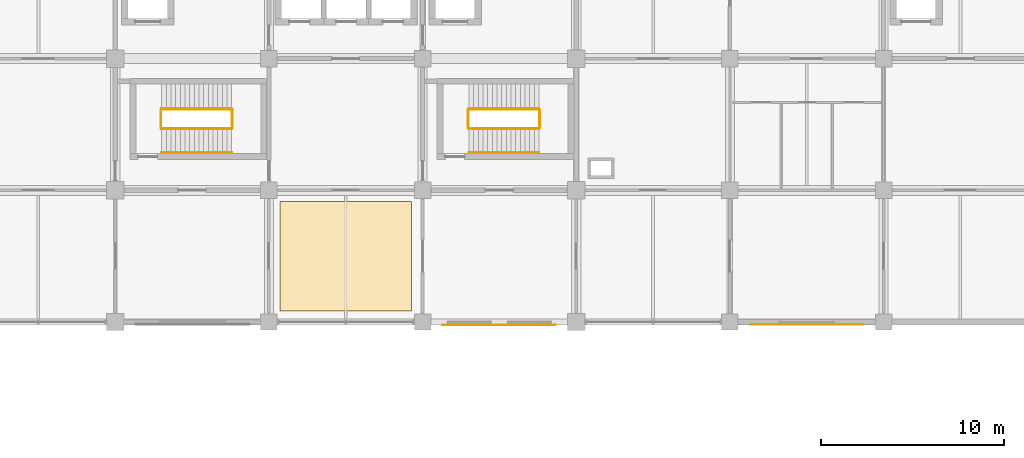
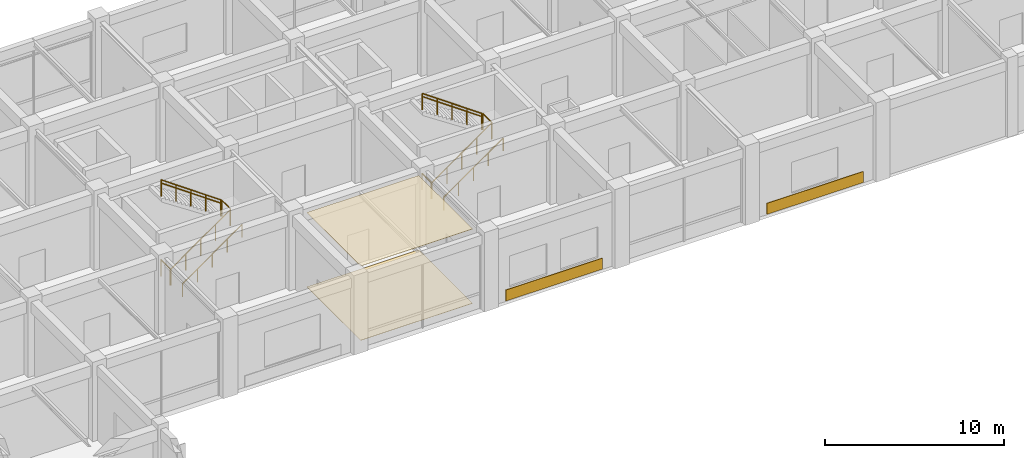
# One storey, part 36 of 41: 12 railings, 4 coverings.
"""IFC4 building model written with IfcOpenShell, lengths in metres."""

import ifcopenshell
import ifcopenshell.guid

model = None  # the IFC model being written
_history = None  # IfcOwnerHistory: only IFC2X3 demands one
_inside = {}  # id of a spatial element -> (the spatial element, [elements in it])
_under = {}  # id of a project, library or spatial element -> (it, [spatial elements below it])
_declared = {}  # id of a project -> (the project, [libraries it declares])
_typed = {}  # id of a type object -> (the type object, [elements of that type])
_made_of = {}  # id of a material, layer set ... -> (it, [elements and type objects made of it])


def new_model(schema):
    """Start an empty IFC model of exactly this schema.

    Asked for "IFC4X3", IfcOpenShell would pick the latest addendum, in which some entities
    have other attributes; the version numbers below select the first issue.
    IFC2X3 requires an IfcOwnerHistory on every rooted entity: one is made here for all.
    """
    global model, _history
    if schema == "IFC4X3":
        model = ifcopenshell.file(schema_version=(4, 3, 0, 0))
    else:
        model = ifcopenshell.file(schema=schema)
    _inside.clear()
    _under.clear()
    _declared.clear()
    _typed.clear()
    _made_of.clear()
    _history = None
    if model.schema == "IFC2X3":
        org = make("IfcOrganization", Name="unknown")
        user = make(
            "IfcPersonAndOrganization",
            ThePerson=make("IfcPerson", FamilyName="unknown"),
            TheOrganization=org,
        )
        app = make(
            "IfcApplication",
            ApplicationDeveloper=org,
            Version="unknown",
            ApplicationFullName="unknown",
            ApplicationIdentifier="unknown",
        )
        _history = make(
            "IfcOwnerHistory",
            OwningUser=user,
            OwningApplication=app,
            ChangeAction="ADDED",
            CreationDate=0,
        )
    return model


def make(cls, **values):
    """One entity of the class cls with the attributes given. An attribute that is None is left unset."""
    return model.create_entity(
        cls, **{name: value for name, value in values.items() if value is not None}
    )


def rooted(cls, **values):
    """An entity with a GlobalId (a new one), such as an element, a storey or a relation."""
    return make(cls, GlobalId=ifcopenshell.guid.new(), OwnerHistory=_history, **values)


def si_unit(unit_type, name, prefix=None):
    """IfcSIUnit, for example si_unit("LENGTHUNIT", "METRE", prefix="MILLI")."""
    return make("IfcSIUnit", UnitType=unit_type, Prefix=prefix, Name=name)


def derived_unit(unit_type, elements):
    """IfcDerivedUnit: a product of units, each with its exponent."""
    return make(
        "IfcDerivedUnit",
        Elements=[
            make("IfcDerivedUnitElement", Unit=unit, Exponent=power)
            for unit, power in elements
        ],
        UnitType=unit_type,
    )


def assignment(units):
    """IfcUnitAssignment: the units of a project."""
    return None if units is None else make("IfcUnitAssignment", Units=units)


def point(xyz):
    """IfcCartesianPoint."""
    return None if xyz is None else make("IfcCartesianPoint", Coordinates=xyz)


def direction(xyz):
    """IfcDirection."""
    return None if xyz is None else make("IfcDirection", DirectionRatios=xyz)


def frame(location, z_axis=None, x_axis=None):
    """IfcAxis2Placement3D, a coordinate frame: its origin and axes. An axis left out is left unset."""
    return make(
        "IfcAxis2Placement3D",
        Location=point(location),
        Axis=direction(z_axis),
        RefDirection=direction(x_axis),
    )


def frame_2d(location, x_axis=None):
    """IfcAxis2Placement2D, a coordinate frame in the plane: its origin and x axis."""
    return make(
        "IfcAxis2Placement2D", Location=point(location), RefDirection=direction(x_axis)
    )


def origin():
    """The frame at (0, 0, 0) with its axes left unset."""
    return frame((0.0, 0.0, 0.0))


def origin_2d():
    """The frame at (0, 0) in the plane with its x axis left unset."""
    return frame_2d((0.0, 0.0))


def place(relative_to, where):
    """IfcLocalPlacement: puts the frame where relative to a parent placement (None: the world)."""
    return make(
        "IfcLocalPlacement", PlacementRelTo=relative_to, RelativePlacement=where
    )


def context(
    kind, dimensions, precision=None, world=None, true_north=None, identifier=None
):
    """IfcGeometricRepresentationContext, for example the 3D "Model" context."""
    return make(
        "IfcGeometricRepresentationContext",
        ContextIdentifier=identifier,
        ContextType=kind,
        CoordinateSpaceDimension=dimensions,
        Precision=precision,
        WorldCoordinateSystem=world,
        TrueNorth=true_north,
    )


def subcontext(parent, identifier, kind, view, scale=None):
    """IfcGeometricRepresentationSubContext, for example "Body" below "Model"."""
    return make(
        "IfcGeometricRepresentationSubContext",
        ContextIdentifier=identifier,
        ContextType=kind,
        ParentContext=parent,
        TargetScale=scale,
        TargetView=view,
    )


def project(units=None, contexts=None):
    """IfcProject with its units and contexts."""
    return rooted(
        "IfcProject",
        Name="project",
        RepresentationContexts=contexts,
        UnitsInContext=assignment(units),
    )


def spatial(cls, under=None, at=None, **own):
    """A site, building, storey or space (cls), placed at a placement, below another one or the project."""
    s = rooted(cls, ObjectPlacement=at, **own)
    if under is not None:
        _under.setdefault(under.id(), (under, []))[1].append(s)
    return s


def polyline(points):
    """IfcPolyline through the points."""
    return make("IfcPolyline", Points=[point(p) for p in points])


def profile(cls, at=None, kind="AREA", **sizes):
    """A parametric profile (cls). Its sizes go by their IFC names, for example OverallWidth=200.0."""
    return make(cls, ProfileType=kind, Position=at, **sizes)


def rectangle(**sizes):
    """IfcRectangleProfileDef."""
    return profile("IfcRectangleProfileDef", **sizes)


def circle(**sizes):
    """IfcCircleProfileDef."""
    return profile("IfcCircleProfileDef", **sizes)


def outline(outer, holes=None, kind="AREA"):
    """IfcArbitraryClosedProfileDef: a profile drawn as a closed curve; with holes, ...WithVoids."""
    if holes is None:
        return make("IfcArbitraryClosedProfileDef", ProfileType=kind, OuterCurve=outer)
    return make(
        "IfcArbitraryProfileDefWithVoids",
        ProfileType=kind,
        OuterCurve=outer,
        InnerCurves=holes,
    )


def extrude(swept, where, along, depth):
    """IfcExtrudedAreaSolid: the profile swept, set in the frame where, extruded along a direction by depth."""
    return make(
        "IfcExtrudedAreaSolid",
        SweptArea=swept,
        Position=where,
        ExtrudedDirection=direction(along),
        Depth=depth,
    )


def shape(context_of_items, identifier, shape_type, items):
    """IfcShapeRepresentation: the items that make up one representation, for example the "Body"."""
    return make(
        "IfcShapeRepresentation",
        ContextOfItems=context_of_items,
        RepresentationIdentifier=identifier,
        RepresentationType=shape_type,
        Items=items,
    )


def material(Name=None, Category=None):
    """IfcMaterial."""
    return make("IfcMaterial", Name=Name, Category=Category)


def layer(
    of_material, thickness, ventilated=None, Name=None, Category=None, Priority=None
):
    """IfcMaterialLayer: one layer of a wall or slab, of a material (None: an air gap)."""
    return make(
        "IfcMaterialLayer",
        Material=of_material,
        LayerThickness=thickness,
        IsVentilated=ventilated,
        Name=Name,
        Category=Category,
        Priority=Priority,
    )


def layer_set(layers, Name=None):
    """IfcMaterialLayerSet."""
    return make("IfcMaterialLayerSet", MaterialLayers=layers, LayerSetName=Name)


def made_of(thing, what):
    """Note that an element or type object is made of a material, layer set ...; save() writes the relation."""
    if what is not None:
        _made_of.setdefault(what.id(), (what, []))[1].append(thing)
    return thing


def type_object(cls, material=None, **own):
    """A type object (cls), such as IfcWallType, which elements share."""
    return made_of(rooted(cls, **own), material)


def element(
    cls,
    number,
    at=None,
    inside=None,
    cuts=None,
    type_object=None,
    material=None,
    context=None,
    identifier="Body",
    shape_type=None,
    held_by="IfcProductDefinitionShape",
    body=None,
    shapes=None,
    **own,
):
    """One element of the class cls, such as IfcWall. Its Tag is "e" and its number.

    at: its placement. inside: the storey or other place that contains it. cuts: it is an
    opening in that element (IfcRelVoidsElement). A single representation is given by context,
    identifier, shape_type and body (its items); several are given by shapes. held_by: the class
    of the entity that holds the representations. save() writes the other relations.
    """
    e = rooted(cls, Tag="e%d" % number, ObjectPlacement=at, **own)
    if body is not None:
        shapes = [shape(context, identifier, shape_type, body)]
    if shapes is not None:
        e.Representation = make(held_by, Representations=shapes)
    if inside is not None:
        _inside.setdefault(inside.id(), (inside, []))[1].append(e)
    if cuts is not None:
        rooted(
            "IfcRelVoidsElement", RelatingBuildingElement=cuts, RelatedOpeningElement=e
        )
    if type_object is not None:
        _typed.setdefault(type_object.id(), (type_object, []))[1].append(e)
    return made_of(e, material)


def aggregate(whole, parts):
    """IfcRelAggregates: a whole, such as a stair, and the parts it consists of."""
    return rooted("IfcRelAggregates", RelatingObject=whole, RelatedObjects=parts)


def save(model, path):
    """Write the relations noted so far, then the file.

    IfcRelAggregates (storeys below a building ...), IfcRelContainedInSpatialStructure (elements
    in a storey), IfcRelDefinesByType, IfcRelAssociatesMaterial and IfcRelDeclares: one each for
    every whole, place, type object, material and project.
    """
    for whole, parts in _under.values():
        aggregate(whole, parts)
    for where, things in _inside.values():
        rooted(
            "IfcRelContainedInSpatialStructure",
            RelatedElements=things,
            RelatingStructure=where,
        )
    for kind, things in _typed.values():
        rooted("IfcRelDefinesByType", RelatedObjects=things, RelatingType=kind)
    for what, things in _made_of.values():
        rooted("IfcRelAssociatesMaterial", RelatedObjects=things, RelatingMaterial=what)
    for by, libraries in _declared.values():
        rooted("IfcRelDeclares", RelatingContext=by, RelatedDefinitions=libraries)
    model.write(path)


model = new_model("IFC4")

# Units and contexts
model_context = context("Model", 3, precision=1e-05, world=origin(), true_north=direction((0.0, 1.0)))
body_context = subcontext(model_context, "Body", "Model", "MODEL_VIEW")
ifc_project = project(units=[si_unit("LENGTHUNIT", "METRE"), si_unit("AREAUNIT", "SQUARE_METRE"), si_unit("VOLUMEUNIT", "CUBIC_METRE"), si_unit("PLANEANGLEUNIT", "RADIAN"), si_unit("MASSUNIT", "GRAM", prefix="KILO"), derived_unit("THERMALTRANSMITTANCEUNIT", [(si_unit("MASSUNIT", "GRAM", prefix="KILO"), 1), (si_unit("TIMEUNIT", "SECOND"), -3), (si_unit("THERMODYNAMICTEMPERATUREUNIT", "KELVIN"), -1)])], contexts=[model_context])

# Site, building, storey
site_placement = place(None, origin())
site = spatial("IfcSite", under=ifc_project, at=site_placement, CompositionType="ELEMENT")
building_placement = place(site_placement, origin())
building = spatial("IfcBuilding", under=site, at=building_placement, Name="Veldstrom Oceanarium and Marine Research Institute", CompositionType="ELEMENT")
storey_placement = place(building_placement, frame((0.0, 0.0, 6.0)))
storey = spatial("IfcBuildingStorey", under=building, at=storey_placement, Name="L01", CompositionType="ELEMENT", Elevation=6.0)

# Coverings
ifc_material_1 = material(Name="Terracotta Spandrel Rainscreen Cladding", Category="masonry")
ifc_layer_1 = layer(ifc_material_1, 0.75)
ifc_layer_set_1 = layer_set([ifc_layer_1], Name="ARC-COV-CD2")
covering_type_1 = type_object("IfcCoveringType", Name="ARC-COV-CD2", PredefinedType="CLADDING", material=ifc_layer_set_1)
for number, where, z_axis, x_axis, name in (
    (1, (96.58740234375, 43.0390625, 0.044921875), (0.0, 0.0, 1.0), (1.0, 0.0, 0.0), "Spandrel Rainscreen Cladding L01-047"),
    (2, (113.39990234375, 43.05908203125, 0.044921875), (0.0, 0.0, 1.0), (1.0, 0.0, 0.0), "Spandrel Rainscreen Cladding L01-049"),
):
    element("IfcCovering", number, at=place(storey_placement, frame(where, z_axis=z_axis, x_axis=x_axis)), inside=storey, type_object=covering_type_1, Name=name, PredefinedType="CLADDING", context=body_context, shape_type="SweptSolid", body=[
        extrude(rectangle(XDim=6.199951171875, YDim=0.0400390625, at=origin_2d()), origin(), (0.0, 0.0, 1.0), 0.75),
    ])
ifc_material_2 = material(Name="Mineral-Fibre Acoustic Ceiling Tile", Category="gypsum")
ifc_layer_2 = layer(ifc_material_2, 0.02490234375)
ifc_layer_set_2 = layer_set([ifc_layer_2], Name="ARC-COV-CL1")
covering_type_2 = type_object("IfcCoveringType", Name="ARC-COV-CL1", PredefinedType="CEILING", material=ifc_layer_set_2)
covering_1_placement = place(storey_placement, frame((0.0, 0.0, 5.050048828125)))
element("IfcCovering", 3, at=covering_1_placement, inside=storey, type_object=covering_type_2, Name="Suspended Acoustic Ceiling L01", PredefinedType="CEILING", context=body_context, shape_type="SweptSolid", body=[
    extrude(outline(polyline([(84.60009765625, 43.800048828125), (91.800048828125, 43.800048828125), (91.800048828125, 49.800048828125), (84.60009765625, 49.800048828125), (84.60009765625, 43.800048828125)])), origin(), (0.0, 0.0, 1.0), 0.02490234375),
])
ifc_material_3 = material(Name="Polished Terrazzo and Marine Epoxy Flooring", Category="concrete")
ifc_layer_3 = layer(ifc_material_3, 0.02001953125)
ifc_layer_set_3 = layer_set([ifc_layer_3], Name="ARC-COV-FL1")
covering_type_3 = type_object("IfcCoveringType", Name="ARC-COV-FL1", PredefinedType="FLOORING", material=ifc_layer_set_3)
covering_2_placement = place(storey_placement, origin())
element("IfcCovering", 4, at=covering_2_placement, inside=storey, type_object=covering_type_3, Name="Terrazzo and Marine Epoxy Floor Finish L01", PredefinedType="FLOORING", context=body_context, shape_type="SweptSolid", body=[
    extrude(outline(polyline([(84.60009765625, 43.800048828125), (91.800048828125, 43.800048828125), (91.800048828125, 49.800048828125), (84.60009765625, 49.800048828125), (84.60009765625, 43.800048828125)])), origin(), (0.0, 0.0, 1.0), 0.02001953125),
])

# Railings
ifc_material_4 = material(Name="Duplex Stainless Steel Balustrade", Category="steel")
ifc_layer_4 = layer(ifc_material_4, 0.06005859375)
ifc_layer_set_4 = layer_set([ifc_layer_4], Name="ARC-RLG-GR1")
railing_type_1 = type_object("IfcRailingType", Name="ARC-RLG-GR1", PredefinedType="GUARDRAIL", material=ifc_layer_set_4)
railing_1_placement = place(storey_placement, frame((78.10009765625, 53.800048828125, 0.0)))
element("IfcRailing", 5, at=railing_1_placement, inside=storey, type_object=railing_type_1, Name="Stair Well Landing Guard ST1 L01", PredefinedType="GUARDRAIL", context=body_context, shape_type="SweptSolid", body=[
    extrude(circle(Radius=0.02392578125, at=origin_2d()), frame((0.0, 0.0, 1.09619140625), z_axis=(0.0, 1.0, 0.0), x_axis=(-1.0, 0.0, 0.0)), (0.0, 0.0, 1.0), 1.0),
    extrude(circle(Radius=0.02099609375, at=origin_2d()), origin(), (0.0, 0.0, 1.0), 1.072021484375),
    extrude(circle(Radius=0.02099609375, at=origin_2d()), frame((0.0, 1.0, 0.0)), (0.0, 0.0, 1.0), 1.072021484375),
])
railing_2_placement = place(storey_placement, frame((78.139892578125, 53.760009765625, 0.0)))
element("IfcRailing", 6, at=railing_2_placement, inside=storey, type_object=railing_type_1, Name="Stair Flight Guardrail ST1-L01-1", PredefinedType="GUARDRAIL", context=body_context, shape_type="SweptSolid", body=[
    extrude(circle(Radius=0.02392578125, at=origin_2d()), frame((0.0, 0.0, 1.09619140625), z_axis=(0.816986648995, 0.0, 0.576656583561), x_axis=(0.0, 1.0, 0.0)), (0.0, 0.0, 1.0), 4.68212890625),
    extrude(circle(Radius=0.02099609375, at=origin_2d()), origin(), (0.0, 0.0, 1.0), 1.072021484375),
    extrude(circle(Radius=0.02099609375, at=origin_2d()), frame((0.956298828125, 0.0, 0.675048828125)), (0.0, 0.0, 1.0), 1.072021484375),
    extrude(circle(Radius=0.02099609375, at=origin_2d()), frame((1.91259765625, 0.0, 1.35009765625)), (0.0, 0.0, 1.0), 1.072021484375),
    extrude(circle(Radius=0.02099609375, at=origin_2d()), frame((2.868896484375, 0.0, 2.02490234375)), (0.0, 0.0, 1.0), 1.072021484375),
    extrude(circle(Radius=0.02099609375, at=origin_2d()), frame((3.8251953125, 0.0, 2.699951171875)), (0.0, 0.0, 1.0), 1.072021484375),
])
railing_3_placement = place(storey_placement, frame((82.0048828125, 53.800048828125, 2.699951171875)))
element("IfcRailing", 7, at=railing_3_placement, inside=storey, type_object=railing_type_1, Name="Stair Half-Landing Guardrail ST1-L01", PredefinedType="GUARDRAIL", context=body_context, shape_type="SweptSolid", body=[
    extrude(circle(Radius=0.02392578125, at=origin_2d()), frame((0.0, 0.0, 1.09619140625), z_axis=(0.0, 1.0, 0.0), x_axis=(-1.0, 0.0, 0.0)), (0.0, 0.0, 1.0), 1.0),
    extrude(circle(Radius=0.02099609375, at=origin_2d()), origin(), (0.0, 0.0, 1.0), 1.072021484375),
    extrude(circle(Radius=0.02099609375, at=origin_2d()), frame((0.0, 1.0, 0.0)), (0.0, 0.0, 1.0), 1.072021484375),
])
railing_4_placement = place(storey_placement, frame((81.965087890625, 54.840087890625, 2.699951171875)))
element("IfcRailing", 8, at=railing_4_placement, inside=storey, type_object=railing_type_1, Name="Stair Flight Guardrail ST1-L01-2", PredefinedType="GUARDRAIL", context=body_context, shape_type="SweptSolid", body=[
    extrude(circle(Radius=0.02392578125, at=origin_2d()), frame((0.0, 0.0, 1.09619140625), z_axis=(-0.816986648995, 0.0, 0.576656583561), x_axis=(0.0, -1.0, 0.0)), (0.0, 0.0, 1.0), 4.68212890625),
    extrude(circle(Radius=0.02099609375, at=origin_2d()), origin(), (0.0, 0.0, 1.0), 1.072021484375),
    extrude(circle(Radius=0.02099609375, at=origin_2d()), frame((-0.956298828125, 0.0, 0.675048828125)), (0.0, 0.0, 1.0), 1.072021484375),
    extrude(circle(Radius=0.02099609375, at=origin_2d()), frame((-1.91259765625, 0.0, 1.35009765625)), (0.0, 0.0, 1.0), 1.072021484375),
    extrude(circle(Radius=0.02099609375, at=origin_2d()), frame((-2.868896484375, 0.0, 2.02490234375)), (0.0, 0.0, 1.0), 1.072021484375),
    extrude(circle(Radius=0.02099609375, at=origin_2d()), frame((-3.8251953125, 0.0, 2.699951171875)), (0.0, 0.0, 1.0), 1.072021484375),
])
railing_5_placement = place(storey_placement, frame((94.89990234375, 53.800048828125, 0.0)))
element("IfcRailing", 9, at=railing_5_placement, inside=storey, type_object=railing_type_1, Name="Stair Well Landing Guard ST2 L01", PredefinedType="GUARDRAIL", context=body_context, shape_type="SweptSolid", body=[
    extrude(circle(Radius=0.02392578125, at=origin_2d()), frame((0.0, 0.0, 1.09619140625), z_axis=(0.0, 1.0, 0.0), x_axis=(-1.0, 0.0, 0.0)), (0.0, 0.0, 1.0), 1.0),
    extrude(circle(Radius=0.02099609375, at=origin_2d()), origin(), (0.0, 0.0, 1.0), 1.072021484375),
    extrude(circle(Radius=0.02099609375, at=origin_2d()), frame((0.0, 1.0, 0.0)), (0.0, 0.0, 1.0), 1.072021484375),
])
railing_6_placement = place(storey_placement, frame((94.93994140625, 53.760009765625, 0.0)))
element("IfcRailing", 10, at=railing_6_placement, inside=storey, type_object=railing_type_1, Name="Stair Flight Guardrail ST2-L01-1", PredefinedType="GUARDRAIL", context=body_context, shape_type="SweptSolid", body=[
    extrude(circle(Radius=0.02392578125, at=origin_2d()), frame((0.0, 0.0, 1.09619140625), z_axis=(0.816969308413, 0.0, 0.5766811503), x_axis=(0.0, 1.0, 0.0)), (0.0, 0.0, 1.0), 4.681884765625),
    extrude(circle(Radius=0.02099609375, at=origin_2d()), origin(), (0.0, 0.0, 1.0), 1.072021484375),
    extrude(circle(Radius=0.02099609375, at=origin_2d()), frame((0.956298828125, 0.0, 0.675048828125)), (0.0, 0.0, 1.0), 1.072021484375),
    extrude(circle(Radius=0.02099609375, at=origin_2d()), frame((1.91259765625, 0.0, 1.35009765625)), (0.0, 0.0, 1.0), 1.072021484375),
    extrude(circle(Radius=0.02099609375, at=origin_2d()), frame((2.86865234375, 0.0, 2.02490234375)), (0.0, 0.0, 1.0), 1.072021484375),
    extrude(circle(Radius=0.02099609375, at=origin_2d()), frame((3.824951171875, 0.0, 2.699951171875)), (0.0, 0.0, 1.0), 1.072021484375),
])
railing_7_placement = place(storey_placement, frame((98.804931640625, 53.800048828125, 2.699951171875)))
element("IfcRailing", 11, at=railing_7_placement, inside=storey, type_object=railing_type_1, Name="Stair Half-Landing Guardrail ST2-L01", PredefinedType="GUARDRAIL", context=body_context, shape_type="SweptSolid", body=[
    extrude(circle(Radius=0.02392578125, at=origin_2d()), frame((0.0, 0.0, 1.09619140625), z_axis=(0.0, 1.0, 0.0), x_axis=(-1.0, 0.0, 0.0)), (0.0, 0.0, 1.0), 1.0),
    extrude(circle(Radius=0.02099609375, at=origin_2d()), origin(), (0.0, 0.0, 1.0), 1.072021484375),
    extrude(circle(Radius=0.02099609375, at=origin_2d()), frame((0.0, 1.0, 0.0)), (0.0, 0.0, 1.0), 1.072021484375),
])
railing_8_placement = place(storey_placement, frame((98.764892578125, 54.840087890625, 2.699951171875)))
element("IfcRailing", 12, at=railing_8_placement, inside=storey, type_object=railing_type_1, Name="Stair Flight Guardrail ST2-L01-2", PredefinedType="GUARDRAIL", context=body_context, shape_type="SweptSolid", body=[
    extrude(circle(Radius=0.02392578125, at=origin_2d()), frame((0.0, 0.0, 1.09619140625), z_axis=(-0.816969308413, 0.0, 0.5766811503), x_axis=(0.0, -1.0, 0.0)), (0.0, 0.0, 1.0), 4.681884765625),
    extrude(circle(Radius=0.02099609375, at=origin_2d()), origin(), (0.0, 0.0, 1.0), 1.072021484375),
    extrude(circle(Radius=0.02099609375, at=origin_2d()), frame((-0.956298828125, 0.0, 0.675048828125)), (0.0, 0.0, 1.0), 1.072021484375),
    extrude(circle(Radius=0.02099609375, at=origin_2d()), frame((-1.91259765625, 0.0, 1.35009765625)), (0.0, 0.0, 1.0), 1.072021484375),
    extrude(circle(Radius=0.02099609375, at=origin_2d()), frame((-2.86865234375, 0.0, 2.02490234375)), (0.0, 0.0, 1.0), 1.072021484375),
    extrude(circle(Radius=0.02099609375, at=origin_2d()), frame((-3.824951171875, 0.0, 2.699951171875)), (0.0, 0.0, 1.0), 1.072021484375),
])
ifc_material_5 = material(Name="Brushed Stainless Steel Handrail", Category="steel")
ifc_layer_5 = layer(ifc_material_5, 0.050048828125)
ifc_layer_set_5 = layer_set([ifc_layer_5], Name="ARC-RLG-HR1")
railing_type_2 = type_object("IfcRailingType", Name="ARC-RLG-HR1", PredefinedType="HANDRAIL", material=ifc_layer_set_5)
railing_9_placement = place(storey_placement, frame((78.139892578125, 52.4599609375, 0.0)))
element("IfcRailing", 13, at=railing_9_placement, inside=storey, type_object=railing_type_2, Name="Stair Wall Handrail ST1-L01-1", PredefinedType="HANDRAIL", context=body_context, shape_type="SweptSolid", body=[
    extrude(circle(Radius=0.02392578125, at=origin_2d()), frame((0.0, 0.0, 0.8759765625), z_axis=(0.816986648995, 0.0, 0.576656583561), x_axis=(0.0, 1.0, 0.0)), (0.0, 0.0, 1.0), 4.68212890625),
    extrude(circle(Radius=0.02099609375, at=origin_2d()), origin(), (0.0, 0.0, 1.0), 0.851806640625),
    extrude(circle(Radius=0.02099609375, at=origin_2d()), frame((0.956298828125, 0.0, 0.675048828125)), (0.0, 0.0, 1.0), 0.851806640625),
    extrude(circle(Radius=0.02099609375, at=origin_2d()), frame((1.91259765625, 0.0, 1.35009765625)), (0.0, 0.0, 1.0), 0.851806640625),
    extrude(circle(Radius=0.02099609375, at=origin_2d()), frame((2.868896484375, 0.0, 2.02490234375)), (0.0, 0.0, 1.0), 0.851806640625),
    extrude(circle(Radius=0.02099609375, at=origin_2d()), frame((3.8251953125, 0.0, 2.699951171875)), (0.0, 0.0, 1.0), 0.851806640625),
])
railing_10_placement = place(storey_placement, frame((81.965087890625, 54.860107421875, 2.699951171875)))
element("IfcRailing", 14, at=railing_10_placement, inside=storey, type_object=railing_type_2, Name="Stair Wall Handrail ST1-L01-2", PredefinedType="HANDRAIL", context=body_context, shape_type="SweptSolid", body=[
    extrude(circle(Radius=0.02392578125, at=origin_2d()), frame((0.0, 0.0, 0.8759765625), z_axis=(-0.816986648995, 0.0, 0.576656583561), x_axis=(0.0, -1.0, 0.0)), (0.0, 0.0, 1.0), 4.68212890625),
    extrude(circle(Radius=0.02099609375, at=origin_2d()), origin(), (0.0, 0.0, 1.0), 0.851806640625),
    extrude(circle(Radius=0.02099609375, at=origin_2d()), frame((-0.956298828125, 0.0, 0.675048828125)), (0.0, 0.0, 1.0), 0.851806640625),
    extrude(circle(Radius=0.02099609375, at=origin_2d()), frame((-1.91259765625, 0.0, 1.35009765625)), (0.0, 0.0, 1.0), 0.851806640625),
    extrude(circle(Radius=0.02099609375, at=origin_2d()), frame((-2.868896484375, 0.0, 2.02490234375)), (0.0, 0.0, 1.0), 0.851806640625),
    extrude(circle(Radius=0.02099609375, at=origin_2d()), frame((-3.8251953125, 0.0, 2.699951171875)), (0.0, 0.0, 1.0), 0.851806640625),
])
railing_11_placement = place(storey_placement, frame((94.93994140625, 52.4599609375, 0.0)))
element("IfcRailing", 15, at=railing_11_placement, inside=storey, type_object=railing_type_2, Name="Stair Wall Handrail ST2-L01-1", PredefinedType="HANDRAIL", context=body_context, shape_type="SweptSolid", body=[
    extrude(circle(Radius=0.02392578125, at=origin_2d()), frame((0.0, 0.0, 0.8759765625), z_axis=(0.816969308413, 0.0, 0.5766811503), x_axis=(0.0, 1.0, 0.0)), (0.0, 0.0, 1.0), 4.681884765625),
    extrude(circle(Radius=0.02099609375, at=origin_2d()), origin(), (0.0, 0.0, 1.0), 0.851806640625),
    extrude(circle(Radius=0.02099609375, at=origin_2d()), frame((0.956298828125, 0.0, 0.675048828125)), (0.0, 0.0, 1.0), 0.851806640625),
    extrude(circle(Radius=0.02099609375, at=origin_2d()), frame((1.91259765625, 0.0, 1.35009765625)), (0.0, 0.0, 1.0), 0.851806640625),
    extrude(circle(Radius=0.02099609375, at=origin_2d()), frame((2.86865234375, 0.0, 2.02490234375)), (0.0, 0.0, 1.0), 0.851806640625),
    extrude(circle(Radius=0.02099609375, at=origin_2d()), frame((3.824951171875, 0.0, 2.699951171875)), (0.0, 0.0, 1.0), 0.851806640625),
])
railing_12_placement = place(storey_placement, frame((98.764892578125, 54.860107421875, 2.699951171875)))
element("IfcRailing", 16, at=railing_12_placement, inside=storey, type_object=railing_type_2, Name="Stair Wall Handrail ST2-L01-2", PredefinedType="HANDRAIL", context=body_context, shape_type="SweptSolid", body=[
    extrude(circle(Radius=0.02392578125, at=origin_2d()), frame((0.0, 0.0, 0.8759765625), z_axis=(-0.816969308413, 0.0, 0.5766811503), x_axis=(0.0, -1.0, 0.0)), (0.0, 0.0, 1.0), 4.681884765625),
    extrude(circle(Radius=0.02099609375, at=origin_2d()), origin(), (0.0, 0.0, 1.0), 0.851806640625),
    extrude(circle(Radius=0.02099609375, at=origin_2d()), frame((-0.956298828125, 0.0, 0.675048828125)), (0.0, 0.0, 1.0), 0.851806640625),
    extrude(circle(Radius=0.02099609375, at=origin_2d()), frame((-1.91259765625, 0.0, 1.35009765625)), (0.0, 0.0, 1.0), 0.851806640625),
    extrude(circle(Radius=0.02099609375, at=origin_2d()), frame((-2.86865234375, 0.0, 2.02490234375)), (0.0, 0.0, 1.0), 0.851806640625),
    extrude(circle(Radius=0.02099609375, at=origin_2d()), frame((-3.824951171875, 0.0, 2.699951171875)), (0.0, 0.0, 1.0), 0.851806640625),
])

save(model, "model.ifc")
